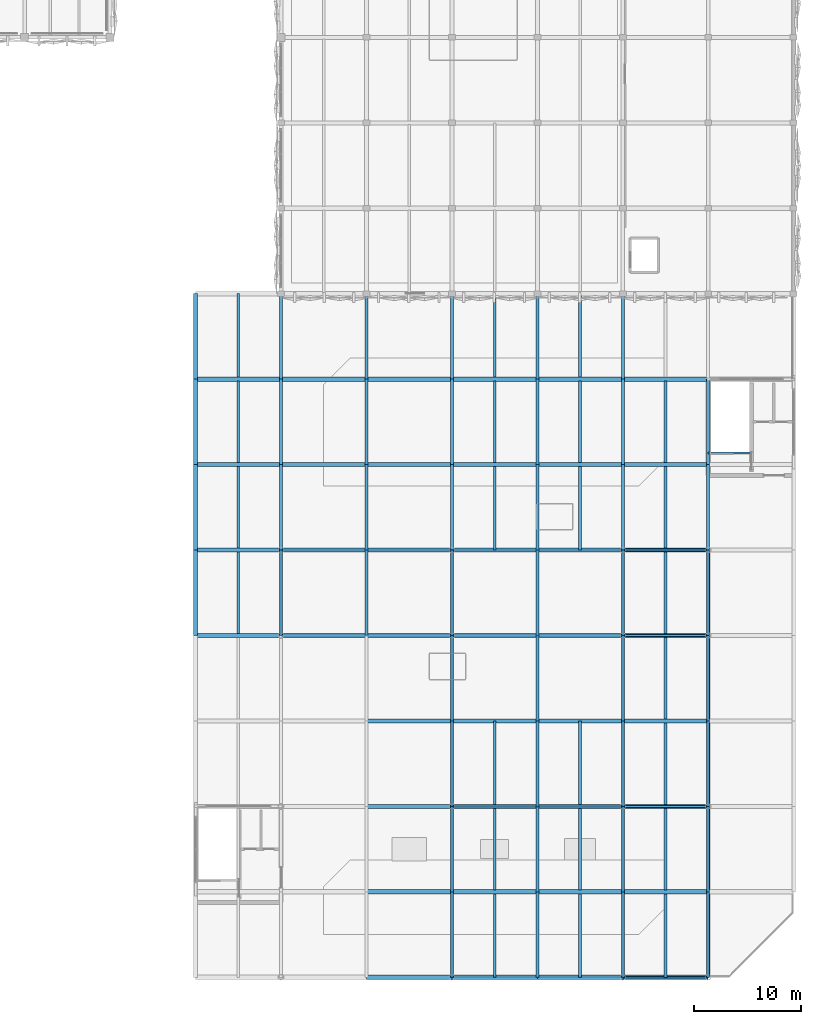
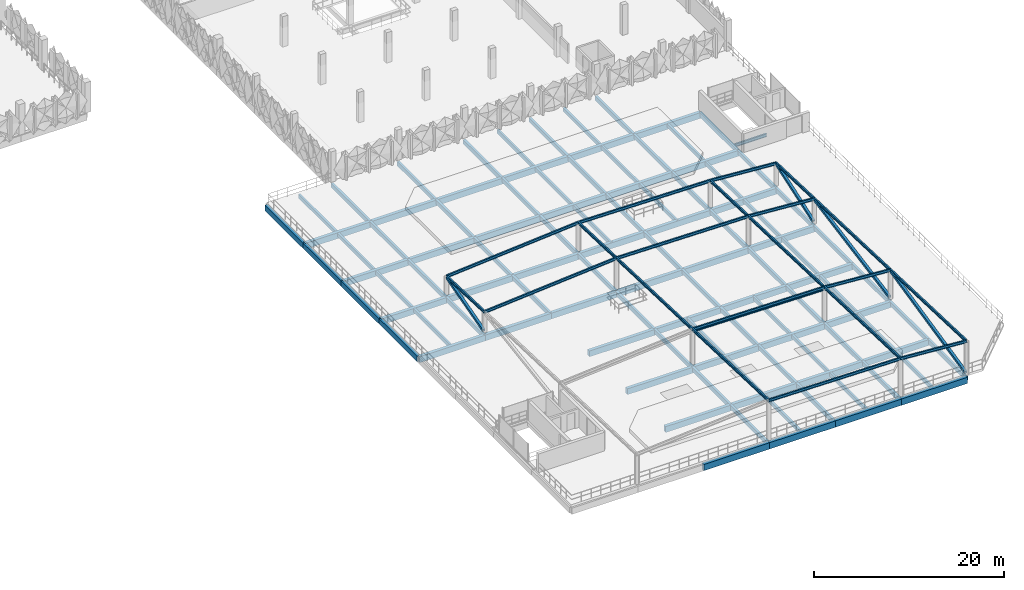
# One storey, part 18 of 76: 127 beams, 5 members.
"""IFC4 building model written with IfcOpenShell, lengths in metres."""

from ifc_helpers import new_model, si_unit, derived_unit, direction, frame, origin, origin_2d, place, context, subcontext, project, spatial, rectangle, hollow_rectangle, hollow_circle, i_section, extrude, material, material_profile, profile_set, type_object, element, save


model = new_model("IFC4")

# Units and contexts
model_context = context("Model", 3, precision=1e-05, world=origin(), true_north=direction((0.0, 1.0)))
body_context = subcontext(model_context, "Body", "Model", "MODEL_VIEW")
ifc_project = project(units=[si_unit("LENGTHUNIT", "METRE"), si_unit("AREAUNIT", "SQUARE_METRE"), si_unit("VOLUMEUNIT", "CUBIC_METRE"), si_unit("PLANEANGLEUNIT", "RADIAN"), si_unit("MASSUNIT", "GRAM", prefix="KILO"), si_unit("THERMODYNAMICTEMPERATUREUNIT", "KELVIN"), derived_unit("THERMALTRANSMITTANCEUNIT", [(si_unit("POWERUNIT", "WATT"), 1), (si_unit("AREAUNIT", "SQUARE_METRE"), -1), (si_unit("THERMODYNAMICTEMPERATUREUNIT", "KELVIN"), -1)])], contexts=[model_context])

# Site, building, storey
site_placement = place(None, origin())
site = spatial("IfcSite", under=ifc_project, at=site_placement, CompositionType="ELEMENT")
building_placement = place(site_placement, origin())
building = spatial("IfcBuilding", under=site, at=building_placement, Name="Haiyu Intermodal Mobility Hub", CompositionType="ELEMENT")
storey_placement = place(building_placement, frame((0.0, 0.0, 17.300048828125)))
storey = spatial("IfcBuildingStorey", under=building, at=storey_placement, Name="L04", CompositionType="ELEMENT", Elevation=17.300048828125)

# Beams
ifc_material_1 = material(Name="Concrete C40", Category="concrete")
ifc_material_profile_1 = material_profile(ifc_material_1, rectangle(XDim=0.39990234375, YDim=0.75, at=origin_2d()), Name="RCB400x750")
ifc_profile_set_1 = profile_set([ifc_material_profile_1], Name="Concrete C40")
beam_type_1 = type_object("IfcBeamType", Name="BM-CB03", PredefinedType="BEAM", material=ifc_profile_set_1)
for number, where, z_axis, x_axis, name in (
    (1, (170.0, 24.0, -0.675048828125), (1.0, 0.0, 0.0), (0.0, 1.0, 0.0), "BM-V5G-L04-009"),
    (2, (178.0, 24.0, -0.675048828125), (1.0, 0.0, 0.0), (0.0, 1.0, 0.0), "BM-V5G-L04-010"),
    (3, (186.0, 24.0, -0.675048828125), (1.0, 0.0, 0.0), (0.0, 1.0, 0.0), "BM-V5G-L04-011"),
    (4, (194.0, 24.0, -0.675048828125), (1.0, 0.0, 0.0), (0.0, 1.0, 0.0), "BM-V5G-L04-012"),
    (5, (170.0, 32.0, -0.675048828125), (1.0, 0.0, 0.0), (0.0, 1.0, 0.0), "BM-V5G-L04-016"),
    (6, (178.0, 32.0, -0.675048828125), (1.0, 0.0, 0.0), (0.0, 1.0, 0.0), "BM-V5G-L04-017"),
    (7, (186.0, 32.0, -0.675048828125), (1.0, 0.0, 0.0), (0.0, 1.0, 0.0), "BM-V5G-L04-018"),
    (8, (194.0, 32.0, -0.675048828125), (1.0, 0.0, 0.0), (0.0, 1.0, 0.0), "BM-V5G-L04-019"),
    (9, (170.0, 40.0, -0.675048828125), (1.0, 0.0, 0.0), (0.0, 1.0, 0.0), "BM-V5G-L04-023"),
    (10, (178.0, 40.0, -0.675048828125), (1.0, 0.0, 0.0), (0.0, 1.0, 0.0), "BM-V5G-L04-024"),
    (11, (186.0, 40.0, -0.675048828125), (1.0, 0.0, 0.0), (0.0, 1.0, 0.0), "BM-V5G-L04-025"),
    (12, (194.0, 40.0, -0.675048828125), (1.0, 0.0, 0.0), (0.0, 1.0, 0.0), "BM-V5G-L04-026"),
    (13, (154.0, 48.0, -0.675048828125), (1.0, 0.0, 0.0), (0.0, 1.0, 0.0), "BM-V5G-L04-028"),
    (14, (162.0, 48.0, -0.675048828125), (1.0, 0.0, 0.0), (0.0, 1.0, 0.0), "BM-V5G-L04-029"),
    (15, (170.0, 48.0, -0.675048828125), (1.0, 0.0, 0.0), (0.0, 1.0, 0.0), "BM-V5G-L04-030"),
    (16, (178.0, 48.0, -0.675048828125), (1.0, 0.0, 0.0), (0.0, 1.0, 0.0), "BM-V5G-L04-031"),
    (17, (186.0, 48.0, -0.675048828125), (1.0, 0.0, 0.0), (0.0, 1.0, 0.0), "BM-V5G-L04-032"),
    (18, (194.0, 48.0, -0.675048828125), (1.0, 0.0, 0.0), (0.0, 1.0, 0.0), "BM-V5G-L04-033"),
    (19, (154.0, 56.0, -0.675048828125), (1.0, 0.0, 0.0), (0.0, 1.0, 0.0), "BM-V5G-L04-035"),
    (20, (162.0, 56.0, -0.675048828125), (1.0, 0.0, 0.0), (0.0, 1.0, 0.0), "BM-V5G-L04-036"),
    (21, (170.0, 56.0, -0.675048828125), (1.0, 0.0, 0.0), (0.0, 1.0, 0.0), "BM-V5G-L04-037"),
    (22, (178.0, 56.0, -0.675048828125), (1.0, 0.0, 0.0), (0.0, 1.0, 0.0), "BM-V5G-L04-038"),
    (23, (186.0, 56.0, -0.675048828125), (1.0, 0.0, 0.0), (0.0, 1.0, 0.0), "BM-V5G-L04-039"),
    (24, (194.0, 56.0, -0.675048828125), (1.0, 0.0, 0.0), (0.0, 1.0, 0.0), "BM-V5G-L04-040"),
    (25, (154.0, 64.0, -0.675048828125), (1.0, 0.0, 0.0), (0.0, 1.0, 0.0), "BM-V5G-L04-042"),
    (26, (162.0, 64.0, -0.675048828125), (1.0, 0.0, 0.0), (0.0, 1.0, 0.0), "BM-V5G-L04-043"),
    (27, (170.0, 64.0, -0.675048828125), (1.0, 0.0, 0.0), (0.0, 1.0, 0.0), "BM-V5G-L04-044"),
    (28, (178.0, 64.0, -0.675048828125), (1.0, 0.0, 0.0), (0.0, 1.0, 0.0), "BM-V5G-L04-045"),
    (29, (186.0, 64.0, -0.675048828125), (1.0, 0.0, 0.0), (0.0, 1.0, 0.0), "BM-V5G-L04-046"),
    (30, (194.0, 64.0, -0.675048828125), (1.0, 0.0, 0.0), (0.0, 1.0, 0.0), "BM-V5G-L04-047"),
    (31, (154.0, 72.0, -0.675048828125), (1.0, 0.0, 0.0), (0.0, 1.0, 0.0), "BM-V5G-L04-049"),
    (32, (162.0, 72.0, -0.675048828125), (1.0, 0.0, 0.0), (0.0, 1.0, 0.0), "BM-V5G-L04-050"),
    (33, (170.0, 72.0, -0.675048828125), (1.0, 0.0, 0.0), (0.0, 1.0, 0.0), "BM-V5G-L04-051"),
    (34, (178.0, 72.0, -0.675048828125), (1.0, 0.0, 0.0), (0.0, 1.0, 0.0), "BM-V5G-L04-052"),
    (35, (186.0, 72.0, -0.675048828125), (1.0, 0.0, 0.0), (0.0, 1.0, 0.0), "BM-V5G-L04-053"),
    (36, (194.0, 72.0, -0.675048828125), (1.0, 0.0, 0.0), (0.0, 1.0, 0.0), "BM-V5G-L04-054"),
):
    element("IfcBeam", number, at=place(storey_placement, frame(where, z_axis=z_axis, x_axis=x_axis)), inside=storey, type_object=beam_type_1, Name=name, PredefinedType="BEAM", context=body_context, shape_type="SweptSolid", body=[
        extrude(rectangle(XDim=0.39990234375, YDim=0.75, at=origin_2d()), origin(), (0.0, 0.0, 1.0), 8.0),
    ])
ifc_material_profile_2 = material_profile(ifc_material_1, rectangle(XDim=0.39990234375, YDim=0.800048828125, at=origin_2d()), Name="RCB400x800")
ifc_profile_set_2 = profile_set([ifc_material_profile_2], Name="Concrete C40")
beam_type_2 = type_object("IfcBeamType", Name="BM-CB05", PredefinedType="BEAM", material=ifc_profile_set_2)
for number, where, z_axis, x_axis, name in (
    (37, (170.0, 16.0, -0.699951171875), (1.0, 0.0, 0.0), (0.0, 1.0, 0.0), "BM-V5G-L04-003"),
    (38, (178.0, 16.0, -0.699951171875), (1.0, 0.0, 0.0), (0.0, 1.0, 0.0), "BM-V5G-L04-004"),
    (39, (186.0, 16.0, -0.699951171875), (1.0, 0.0, 0.0), (0.0, 1.0, 0.0), "BM-V5G-L04-005"),
    (40, (194.0, 16.0, -0.699951171875), (1.0, 0.0, 0.0), (0.0, 1.0, 0.0), "BM-V5G-L04-006"),
):
    element("IfcBeam", number, at=place(storey_placement, frame(where, z_axis=z_axis, x_axis=x_axis)), inside=storey, type_object=beam_type_2, Name=name, PredefinedType="BEAM", context=body_context, shape_type="SweptSolid", body=[
        extrude(rectangle(XDim=0.39990234375, YDim=0.800048828125, at=origin_2d()), origin(), (0.0, 0.0, 1.0), 8.0),
    ])
ifc_material_profile_3 = material_profile(ifc_material_1, rectangle(XDim=0.35009765625, YDim=0.699951171875, at=origin_2d()), Name="RCB350x700")
ifc_profile_set_3 = profile_set([ifc_material_profile_3], Name="Concrete C40")
beam_type_3 = type_object("IfcBeamType", Name="BM-CB06", PredefinedType="BEAM", material=ifc_profile_set_3)
for number, where, z_axis, x_axis, name in (
    (41, (154.0, 48.0, -0.650146484375), (0.0, 1.0, 0.0), (-1.0, 0.0, 0.0), "BM-V5T-L04-005"),
    (42, (154.0, 56.0, -0.650146484375), (0.0, 1.0, 0.0), (-1.0, 0.0, 0.0), "BM-V5T-L04-006"),
    (43, (154.0, 64.0, -0.650146484375), (0.0, 1.0, 0.0), (-1.0, 0.0, 0.0), "BM-V5T-L04-007"),
    (44, (154.0, 72.0, -0.650146484375), (0.0, 1.0, 0.0), (-1.0, 0.0, 0.0), "BM-V5T-L04-008"),
):
    element("IfcBeam", number, at=place(storey_placement, frame(where, z_axis=z_axis, x_axis=x_axis)), inside=storey, type_object=beam_type_3, Name=name, PredefinedType="BEAM", context=body_context, shape_type="SweptSolid", body=[
        extrude(rectangle(XDim=0.35009765625, YDim=0.699951171875, at=origin_2d()), origin(), (0.0, 0.0, 1.0), 8.0),
    ])
ifc_material_profile_4 = material_profile(ifc_material_1, rectangle(XDim=0.280029296875, YDim=0.5400390625, at=origin_2d()), Name="RCB280x540")
ifc_profile_set_4 = profile_set([ifc_material_profile_4], Name="Concrete C40")
beam_type_4 = type_object("IfcBeamType", Name="BM-CB08", PredefinedType="JOIST", material=ifc_profile_set_4)
for number, where, z_axis, x_axis, name in (
    (45, (162.0, 48.0, -0.570068359375), (0.0, 1.0, 0.0), (-1.0, 0.0, 0.0), "BM-V5T-L04-013"),
    (46, (162.0, 56.0, -0.570068359375), (0.0, 1.0, 0.0), (-1.0, 0.0, 0.0), "BM-V5T-L04-014"),
    (47, (162.0, 64.0, -0.570068359375), (0.0, 1.0, 0.0), (-1.0, 0.0, 0.0), "BM-V5T-L04-015"),
    (48, (162.0, 72.0, -0.570068359375), (0.0, 1.0, 0.0), (-1.0, 0.0, 0.0), "BM-V5T-L04-016"),
    (49, (170.0, 48.0, -0.570068359375), (0.0, 1.0, 0.0), (-1.0, 0.0, 0.0), "BM-V5T-L04-021"),
    (50, (170.0, 56.0, -0.570068359375), (0.0, 1.0, 0.0), (-1.0, 0.0, 0.0), "BM-V5T-L04-022"),
    (51, (170.0, 64.0, -0.570068359375), (0.0, 1.0, 0.0), (-1.0, 0.0, 0.0), "BM-V5T-L04-023"),
    (52, (170.0, 72.0, -0.570068359375), (0.0, 1.0, 0.0), (-1.0, 0.0, 0.0), "BM-V5T-L04-024"),
    (53, (178.0, 16.0, -0.570068359375), (0.0, 1.0, 0.0), (-1.0, 0.0, 0.0), "BM-V5T-L04-025"),
    (54, (178.0, 24.0, -0.570068359375), (0.0, 1.0, 0.0), (-1.0, 0.0, 0.0), "BM-V5T-L04-026"),
    (55, (178.0, 32.0, -0.570068359375), (0.0, 1.0, 0.0), (-1.0, 0.0, 0.0), "BM-V5T-L04-027"),
    (56, (178.0, 40.0, -0.570068359375), (0.0, 1.0, 0.0), (-1.0, 0.0, 0.0), "BM-V5T-L04-028"),
    (57, (178.0, 48.0, -0.570068359375), (0.0, 1.0, 0.0), (-1.0, 0.0, 0.0), "BM-V5T-L04-029"),
    (58, (178.0, 56.0, -0.570068359375), (0.0, 1.0, 0.0), (-1.0, 0.0, 0.0), "BM-V5T-L04-030"),
    (59, (178.0, 64.0, -0.570068359375), (0.0, 1.0, 0.0), (-1.0, 0.0, 0.0), "BM-V5T-L04-031"),
    (60, (178.0, 72.0, -0.570068359375), (0.0, 1.0, 0.0), (-1.0, 0.0, 0.0), "BM-V5T-L04-032"),
    (61, (186.0, 16.0, -0.570068359375), (0.0, 1.0, 0.0), (-1.0, 0.0, 0.0), "BM-V5T-L04-033"),
    (62, (186.0, 24.0, -0.570068359375), (0.0, 1.0, 0.0), (-1.0, 0.0, 0.0), "BM-V5T-L04-034"),
    (63, (186.0, 32.0, -0.570068359375), (0.0, 1.0, 0.0), (-1.0, 0.0, 0.0), "BM-V5T-L04-035"),
    (64, (186.0, 40.0, -0.570068359375), (0.0, 1.0, 0.0), (-1.0, 0.0, 0.0), "BM-V5T-L04-036"),
    (65, (186.0, 48.0, -0.570068359375), (0.0, 1.0, 0.0), (-1.0, 0.0, 0.0), "BM-V5T-L04-037"),
    (66, (186.0, 56.0, -0.570068359375), (0.0, 1.0, 0.0), (-1.0, 0.0, 0.0), "BM-V5T-L04-038"),
    (67, (186.0, 64.0, -0.570068359375), (0.0, 1.0, 0.0), (-1.0, 0.0, 0.0), "BM-V5T-L04-039"),
    (68, (186.0, 72.0, -0.570068359375), (0.0, 1.0, 0.0), (-1.0, 0.0, 0.0), "BM-V5T-L04-040"),
    (69, (194.0, 16.0, -0.570068359375), (0.0, 1.0, 0.0), (-1.0, 0.0, 0.0), "BM-V5T-L04-041"),
    (70, (194.0, 24.0, -0.570068359375), (0.0, 1.0, 0.0), (-1.0, 0.0, 0.0), "BM-V5T-L04-042"),
    (71, (194.0, 32.0, -0.570068359375), (0.0, 1.0, 0.0), (-1.0, 0.0, 0.0), "BM-V5T-L04-043"),
    (72, (194.0, 40.0, -0.570068359375), (0.0, 1.0, 0.0), (-1.0, 0.0, 0.0), "BM-V5T-L04-044"),
    (73, (194.0, 48.0, -0.570068359375), (0.0, 1.0, 0.0), (-1.0, 0.0, 0.0), "BM-V5T-L04-045"),
    (74, (194.0, 56.0, -0.570068359375), (0.0, 1.0, 0.0), (-1.0, 0.0, 0.0), "BM-V5T-L04-046"),
    (75, (194.0, 64.0, -0.570068359375), (0.0, 1.0, 0.0), (-1.0, 0.0, 0.0), "BM-V5T-L04-047"),
    (76, (194.0, 72.0, -0.570068359375), (0.0, 1.0, 0.0), (-1.0, 0.0, 0.0), "BM-V5T-L04-048"),
    (77, (202.0, 16.0, -0.570068359375), (0.0, 1.0, 0.0), (-1.0, 0.0, 0.0), "BM-V5T-L04-049"),
    (78, (202.0, 24.0, -0.570068359375), (0.0, 1.0, 0.0), (-1.0, 0.0, 0.0), "BM-V5T-L04-050"),
    (79, (202.0, 32.0, -0.570068359375), (0.0, 1.0, 0.0), (-1.0, 0.0, 0.0), "BM-V5T-L04-051"),
    (80, (202.0, 40.0, -0.570068359375), (0.0, 1.0, 0.0), (-1.0, 0.0, 0.0), "BM-V5T-L04-052"),
    (81, (202.0, 48.0, -0.570068359375), (0.0, 1.0, 0.0), (-1.0, 0.0, 0.0), "BM-V5T-L04-053"),
    (82, (202.0, 56.0, -0.570068359375), (0.0, 1.0, 0.0), (-1.0, 0.0, 0.0), "BM-V5T-L04-054"),
    (83, (202.0, 64.0, -0.570068359375), (0.0, 1.0, 0.0), (-1.0, 0.0, 0.0), "BM-V5T-L04-055"),
):
    element("IfcBeam", number, at=place(storey_placement, frame(where, z_axis=z_axis, x_axis=x_axis)), inside=storey, type_object=beam_type_4, Name=name, PredefinedType="JOIST", context=body_context, shape_type="SweptSolid", body=[
        extrude(rectangle(XDim=0.280029296875, YDim=0.5400390625, at=origin_2d()), origin(), (0.0, 0.0, 1.0), 8.0),
    ])
ifc_material_profile_5 = material_profile(ifc_material_1, rectangle(XDim=0.25, YDim=0.47998046875, at=origin_2d()), Name="RCB250x480")
ifc_profile_set_5 = profile_set([ifc_material_profile_5], Name="Concrete C40")
beam_type_5 = type_object("IfcBeamType", Name="BM-CB09", PredefinedType="JOIST", material=ifc_profile_set_5)
for number, where, z_axis, x_axis, name in (
    (84, (158.0, 48.18505859375, -0.5400390625), (0.0, 1.0, 0.0), (-1.0, 0.0, 0.0), "BM-V5J-L04-005"),
    (85, (158.0, 56.18505859375, -0.5400390625), (0.0, 1.0, 0.0), (-1.0, 0.0, 0.0), "BM-V5J-L04-006"),
    (86, (158.0, 64.18505859375, -0.5400390625), (0.0, 1.0, 0.0), (-1.0, 0.0, 0.0), "BM-V5J-L04-007"),
):
    element("IfcBeam", number, at=place(storey_placement, frame(where, z_axis=z_axis, x_axis=x_axis)), inside=storey, type_object=beam_type_5, Name=name, PredefinedType="JOIST", context=body_context, shape_type="SweptSolid", body=[
        extrude(rectangle(XDim=0.25, YDim=0.47998046875, at=origin_2d()), origin(), (0.0, 0.0, 1.0), 7.6298828125),
    ])
for number, where, z_axis, x_axis, name in (
    (87, (158.0, 72.18505859375, -0.5400390625), (0.0, 1.0, 0.0), (-1.0, 0.0, 0.0), "BM-V5J-L04-008"),
    (88, (182.0, 16.0, -0.5400390625), (0.0, 1.0, 0.0), (-1.0, 0.0, 0.0), "BM-V5J-L04-009"),
):
    element("IfcBeam", number, at=place(storey_placement, frame(where, z_axis=z_axis, x_axis=x_axis)), inside=storey, type_object=beam_type_5, Name=name, PredefinedType="JOIST", context=body_context, shape_type="SweptSolid", body=[
        extrude(rectangle(XDim=0.25, YDim=0.47998046875, at=origin_2d()), origin(), (0.0, 0.0, 1.0), 7.81494140625),
    ])
beam_1_placement = place(storey_placement, frame((182.0, 24.18505859375, -0.5400390625), z_axis=(0.0, 1.0, 0.0), x_axis=(-1.0, 0.0, 0.0)))
element("IfcBeam", 89, at=beam_1_placement, inside=storey, type_object=beam_type_5, Name="BM-V5J-L04-010", PredefinedType="JOIST", context=body_context, shape_type="SweptSolid", body=[
    extrude(rectangle(XDim=0.25, YDim=0.47998046875, at=origin_2d()), origin(), (0.0, 0.0, 1.0), 7.6298828125),
])
for number, where, z_axis, x_axis, name in (
    (90, (182.0, 32.18505859375, -0.5400390625), (0.0, 1.0, 0.0), (-1.0, 0.0, 0.0), "BM-V5J-L04-011"),
    (91, (182.0, 56.0, -0.5400390625), (0.0, 1.0, 0.0), (-1.0, 0.0, 0.0), "BM-V5J-L04-012"),
):
    element("IfcBeam", number, at=place(storey_placement, frame(where, z_axis=z_axis, x_axis=x_axis)), inside=storey, type_object=beam_type_5, Name=name, PredefinedType="JOIST", context=body_context, shape_type="SweptSolid", body=[
        extrude(rectangle(XDim=0.25, YDim=0.47998046875, at=origin_2d()), origin(), (0.0, 0.0, 1.0), 7.81494140625),
    ])
for number, where, z_axis, x_axis, name in (
    (92, (182.0, 64.18505859375, -0.5400390625), (0.0, 1.0, 0.0), (-1.0, 0.0, 0.0), "BM-V5J-L04-013"),
    (93, (182.0, 72.18505859375, -0.5400390625), (0.0, 1.0, 0.0), (-1.0, 0.0, 0.0), "BM-V5J-L04-014"),
):
    element("IfcBeam", number, at=place(storey_placement, frame(where, z_axis=z_axis, x_axis=x_axis)), inside=storey, type_object=beam_type_5, Name=name, PredefinedType="JOIST", context=body_context, shape_type="SweptSolid", body=[
        extrude(rectangle(XDim=0.25, YDim=0.47998046875, at=origin_2d()), origin(), (0.0, 0.0, 1.0), 7.6298828125),
    ])
beam_2_placement = place(storey_placement, frame((190.0, 16.0, -0.5400390625), z_axis=(0.0, 1.0, 0.0), x_axis=(-1.0, 0.0, 0.0)))
element("IfcBeam", 94, at=beam_2_placement, inside=storey, type_object=beam_type_5, Name="BM-V5J-L04-015", PredefinedType="JOIST", context=body_context, shape_type="SweptSolid", body=[
    extrude(rectangle(XDim=0.25, YDim=0.47998046875, at=origin_2d()), origin(), (0.0, 0.0, 1.0), 7.81494140625),
])
beam_3_placement = place(storey_placement, frame((190.0, 24.18505859375, -0.5400390625), z_axis=(0.0, 1.0, 0.0), x_axis=(-1.0, 0.0, 0.0)))
element("IfcBeam", 95, at=beam_3_placement, inside=storey, type_object=beam_type_5, Name="BM-V5J-L04-016", PredefinedType="JOIST", context=body_context, shape_type="SweptSolid", body=[
    extrude(rectangle(XDim=0.25, YDim=0.47998046875, at=origin_2d()), origin(), (0.0, 0.0, 1.0), 7.6298828125),
])
for number, where, z_axis, x_axis, name in (
    (96, (190.0, 32.18505859375, -0.5400390625), (0.0, 1.0, 0.0), (-1.0, 0.0, 0.0), "BM-V5J-L04-017"),
    (97, (190.0, 56.0, -0.5400390625), (0.0, 1.0, 0.0), (-1.0, 0.0, 0.0), "BM-V5J-L04-018"),
):
    element("IfcBeam", number, at=place(storey_placement, frame(where, z_axis=z_axis, x_axis=x_axis)), inside=storey, type_object=beam_type_5, Name=name, PredefinedType="JOIST", context=body_context, shape_type="SweptSolid", body=[
        extrude(rectangle(XDim=0.25, YDim=0.47998046875, at=origin_2d()), origin(), (0.0, 0.0, 1.0), 7.81494140625),
    ])
for number, where, z_axis, x_axis, name in (
    (98, (190.0, 64.18505859375, -0.5400390625), (0.0, 1.0, 0.0), (-1.0, 0.0, 0.0), "BM-V5J-L04-019"),
    (99, (190.0, 72.18505859375, -0.5400390625), (0.0, 1.0, 0.0), (-1.0, 0.0, 0.0), "BM-V5J-L04-020"),
):
    element("IfcBeam", number, at=place(storey_placement, frame(where, z_axis=z_axis, x_axis=x_axis)), inside=storey, type_object=beam_type_5, Name=name, PredefinedType="JOIST", context=body_context, shape_type="SweptSolid", body=[
        extrude(rectangle(XDim=0.25, YDim=0.47998046875, at=origin_2d()), origin(), (0.0, 0.0, 1.0), 7.6298828125),
    ])
beam_4_placement = place(storey_placement, frame((198.0, 16.0, -0.5400390625), z_axis=(0.0, 1.0, 0.0), x_axis=(-1.0, 0.0, 0.0)))
element("IfcBeam", 100, at=beam_4_placement, inside=storey, type_object=beam_type_5, Name="BM-V5J-L04-021", PredefinedType="JOIST", context=body_context, shape_type="SweptSolid", body=[
    extrude(rectangle(XDim=0.25, YDim=0.47998046875, at=origin_2d()), origin(), (0.0, 0.0, 1.0), 7.81494140625),
])
for number, where, z_axis, x_axis, name in (
    (101, (198.0, 24.18505859375, -0.5400390625), (0.0, 1.0, 0.0), (-1.0, 0.0, 0.0), "BM-V5J-L04-022"),
    (102, (198.0, 32.18505859375, -0.5400390625), (0.0, 1.0, 0.0), (-1.0, 0.0, 0.0), "BM-V5J-L04-023"),
    (103, (198.0, 40.18505859375, -0.5400390625), (0.0, 1.0, 0.0), (-1.0, 0.0, 0.0), "BM-V5J-L04-024"),
    (104, (198.0, 48.18505859375, -0.5400390625), (0.0, 1.0, 0.0), (-1.0, 0.0, 0.0), "BM-V5J-L04-025"),
    (105, (198.0, 56.18505859375, -0.5400390625), (0.0, 1.0, 0.0), (-1.0, 0.0, 0.0), "BM-V5J-L04-026"),
    (106, (198.0, 64.18505859375, -0.5400390625), (0.0, 1.0, 0.0), (-1.0, 0.0, 0.0), "BM-V5J-L04-027"),
):
    element("IfcBeam", number, at=place(storey_placement, frame(where, z_axis=z_axis, x_axis=x_axis)), inside=storey, type_object=beam_type_5, Name=name, PredefinedType="JOIST", context=body_context, shape_type="SweptSolid", body=[
        extrude(rectangle(XDim=0.25, YDim=0.47998046875, at=origin_2d()), origin(), (0.0, 0.0, 1.0), 7.6298828125),
    ])
ifc_material_2 = material(Name="Steel Q355C", Category="steel")
ifc_material_profile_6 = material_profile(ifc_material_2, i_section(OverallWidth=0.199951171875, OverallDepth=0.39990234375, WebThickness=0.008056640625, FlangeThickness=0.012939453125, FilletRadius=0.01611328125, at=origin_2d()), Name="HN400x200x8x13")
ifc_profile_set_6 = profile_set([ifc_material_profile_6], Name="Steel Q355C")
beam_type_6 = type_object("IfcBeamType", Name="BM-SB08", PredefinedType="JOIST", material=ifc_profile_set_6)
beam_5_placement = place(storey_placement, frame((202.0, 65.10009765625, -0.525146484375), z_axis=(1.0, 0.0, 0.0), x_axis=(0.0, 1.0, 0.0)))
element("IfcBeam", 107, at=beam_5_placement, inside=storey, type_object=beam_type_6, Name="Stair Arrival Trimmer Beam C9-L03", PredefinedType="JOIST", context=body_context, shape_type="SweptSolid", body=[
    extrude(i_section(OverallWidth=0.199951171875, OverallDepth=0.39990234375, WebThickness=0.008056640625, FlangeThickness=0.012939453125, FilletRadius=0.01611328125, at=origin_2d()), origin(), (0.0, 0.0, 1.0), 4.050048828125),
])
ifc_material_profile_7 = material_profile(ifc_material_2, i_section(OverallWidth=0.175048828125, OverallDepth=0.35009765625, WebThickness=0.007080078125, FlangeThickness=0.010986328125, FilletRadius=0.013916015625, at=origin_2d()), Name="HN350x175x7x11")
ifc_profile_set_7 = profile_set([ifc_material_profile_7], Name="Steel Q355C")
beam_type_7 = type_object("IfcBeamType", Name="BM-SB09", PredefinedType="JOIST", material=ifc_profile_set_7)
beam_6_placement = place(storey_placement, frame((162.0, 48.0, 2.550048828125), z_axis=(0.0, 0.999343438911, -0.036231079267), x_axis=(-1.0, 0.0, 0.0)))
element("IfcBeam", 108, at=beam_6_placement, inside=storey, type_object=beam_type_7, Name="BM-V5WR-L04-003", PredefinedType="JOIST", context=body_context, shape_type="SweptSolid", body=[
    extrude(i_section(OverallWidth=0.175048828125, OverallDepth=0.35009765625, WebThickness=0.007080078125, FlangeThickness=0.010986328125, FilletRadius=0.013916015625, at=origin_2d()), origin(), (0.0, 0.0, 1.0), 8.00537109375),
])
for number, where, z_axis, x_axis, name in (
    (109, (178.0, 16.0, 5.00390625), (0.0, 0.999343990912, -0.036215850501), (-1.0, 0.0, 0.0), "BM-V5WR-L04-004"),
    (110, (178.0, 32.0, 4.424072265625), (0.0, 0.999343438911, -0.036231079267), (-1.0, 0.0, 0.0), "BM-V5WR-L04-005"),
):
    element("IfcBeam", number, at=place(storey_placement, frame(where, z_axis=z_axis, x_axis=x_axis)), inside=storey, type_object=beam_type_7, Name=name, PredefinedType="JOIST", context=body_context, shape_type="SweptSolid", body=[
        extrude(i_section(OverallWidth=0.175048828125, OverallDepth=0.35009765625, WebThickness=0.007080078125, FlangeThickness=0.010986328125, FilletRadius=0.013916015625, at=origin_2d()), origin(), (0.0, 0.0, 1.0), 16.010498046875),
    ])
beam_7_placement = place(storey_placement, frame((178.0, 48.0, 3.843994140625), z_axis=(0.0, 0.999343438911, -0.036231079267), x_axis=(-1.0, 0.0, 0.0)))
element("IfcBeam", 111, at=beam_7_placement, inside=storey, type_object=beam_type_7, Name="BM-V5WR-L04-006", PredefinedType="JOIST", context=body_context, shape_type="SweptSolid", body=[
    extrude(i_section(OverallWidth=0.175048828125, OverallDepth=0.35009765625, WebThickness=0.007080078125, FlangeThickness=0.010986328125, FilletRadius=0.013916015625, at=origin_2d()), origin(), (0.0, 0.0, 1.0), 8.00537109375),
])
for number, where, z_axis, x_axis, name in (
    (112, (194.0, 16.0, 4.785888671875), (0.0, 0.999343990912, -0.036215850501), (-1.0, 0.0, 0.0), "BM-V5WR-L04-007"),
    (113, (194.0, 32.0, 4.2060546875), (0.0, 0.999343438911, -0.036231079267), (-1.0, 0.0, 0.0), "BM-V5WR-L04-008"),
):
    element("IfcBeam", number, at=place(storey_placement, frame(where, z_axis=z_axis, x_axis=x_axis)), inside=storey, type_object=beam_type_7, Name=name, PredefinedType="JOIST", context=body_context, shape_type="SweptSolid", body=[
        extrude(i_section(OverallWidth=0.175048828125, OverallDepth=0.35009765625, WebThickness=0.007080078125, FlangeThickness=0.010986328125, FilletRadius=0.013916015625, at=origin_2d()), origin(), (0.0, 0.0, 1.0), 16.010498046875),
    ])
beam_8_placement = place(storey_placement, frame((194.0, 48.0, 3.6259765625), z_axis=(0.0, 0.999343438911, -0.036231079267), x_axis=(-1.0, 0.0, 0.0)))
element("IfcBeam", 114, at=beam_8_placement, inside=storey, type_object=beam_type_7, Name="BM-V5WR-L04-009", PredefinedType="JOIST", context=body_context, shape_type="SweptSolid", body=[
    extrude(i_section(OverallWidth=0.175048828125, OverallDepth=0.35009765625, WebThickness=0.007080078125, FlangeThickness=0.010986328125, FilletRadius=0.013916015625, at=origin_2d()), origin(), (0.0, 0.0, 1.0), 8.00537109375),
])
for number, where, z_axis, x_axis, name in (
    (115, (202.0, 16.0, 4.2099609375), (0.0, 0.999343438911, -0.036231079267), (-1.0, 0.0, 0.0), "BM-V5WR-L04-010"),
    (116, (202.0, 32.0, 3.6298828125), (0.0, 0.999343990912, -0.036215850501), (-1.0, 0.0, 0.0), "BM-V5WR-L04-011"),
):
    element("IfcBeam", number, at=place(storey_placement, frame(where, z_axis=z_axis, x_axis=x_axis)), inside=storey, type_object=beam_type_7, Name=name, PredefinedType="JOIST", context=body_context, shape_type="SweptSolid", body=[
        extrude(i_section(OverallWidth=0.175048828125, OverallDepth=0.35009765625, WebThickness=0.007080078125, FlangeThickness=0.010986328125, FilletRadius=0.013916015625, at=origin_2d()), origin(), (0.0, 0.0, 1.0), 16.010498046875),
    ])
beam_9_placement = place(storey_placement, frame((202.0, 48.0, 3.050048828125), z_axis=(0.0, 0.999343438911, -0.036231079267), x_axis=(-1.0, 0.0, 0.0)))
element("IfcBeam", 117, at=beam_9_placement, inside=storey, type_object=beam_type_7, Name="BM-V5WR-L04-012", PredefinedType="JOIST", context=body_context, shape_type="SweptSolid", body=[
    extrude(i_section(OverallWidth=0.175048828125, OverallDepth=0.35009765625, WebThickness=0.007080078125, FlangeThickness=0.010986328125, FilletRadius=0.013916015625, at=origin_2d()), origin(), (0.0, 0.0, 1.0), 8.00537109375),
])
beam_10_placement = place(storey_placement, frame((178.0, 16.0, 5.00390625), z_axis=(0.999907177644, 0.0, -0.013624833826), x_axis=(0.0, 1.0, 0.0)))
element("IfcBeam", 118, at=beam_10_placement, inside=storey, type_object=beam_type_7, Name="BM-V5WP-L04-014", PredefinedType="JOIST", context=body_context, shape_type="SweptSolid", body=[
    extrude(i_section(OverallWidth=0.175048828125, OverallDepth=0.35009765625, WebThickness=0.007080078125, FlangeThickness=0.010986328125, FilletRadius=0.013916015625, at=origin_2d()), origin(), (0.0, 0.0, 1.0), 16.00146484375),
])
beam_11_placement = place(storey_placement, frame((194.0, 16.0, 4.785888671875), z_axis=(0.997418679683, 0.0, -0.071805135052), x_axis=(0.0, 1.0, 0.0)))
element("IfcBeam", 119, at=beam_11_placement, inside=storey, type_object=beam_type_7, Name="BM-V5WP-L04-015", PredefinedType="JOIST", context=body_context, shape_type="SweptSolid", body=[
    extrude(i_section(OverallWidth=0.175048828125, OverallDepth=0.35009765625, WebThickness=0.007080078125, FlangeThickness=0.010986328125, FilletRadius=0.013916015625, at=origin_2d()), origin(), (0.0, 0.0, 1.0), 8.020751953125),
])
beam_12_placement = place(storey_placement, frame((178.0, 32.0, 4.424072265625), z_axis=(0.999907177644, 0.0, -0.013624833826), x_axis=(0.0, 1.0, 0.0)))
element("IfcBeam", 120, at=beam_12_placement, inside=storey, type_object=beam_type_7, Name="BM-V5WP-L04-017", PredefinedType="JOIST", context=body_context, shape_type="SweptSolid", body=[
    extrude(i_section(OverallWidth=0.175048828125, OverallDepth=0.35009765625, WebThickness=0.007080078125, FlangeThickness=0.010986328125, FilletRadius=0.013916015625, at=origin_2d()), origin(), (0.0, 0.0, 1.0), 16.00146484375),
])
beam_13_placement = place(storey_placement, frame((194.0, 32.0, 4.2060546875), z_axis=(0.997416499207, 0.0, -0.071835416813), x_axis=(0.0, 1.0, 0.0)))
element("IfcBeam", 121, at=beam_13_placement, inside=storey, type_object=beam_type_7, Name="BM-V5WP-L04-018", PredefinedType="JOIST", context=body_context, shape_type="SweptSolid", body=[
    extrude(i_section(OverallWidth=0.175048828125, OverallDepth=0.35009765625, WebThickness=0.007080078125, FlangeThickness=0.010986328125, FilletRadius=0.013916015625, at=origin_2d()), origin(), (0.0, 0.0, 1.0), 8.020751953125),
])
beam_14_placement = place(storey_placement, frame((162.0, 48.0, 2.550048828125), z_axis=(0.996745847078, 0.0, 0.080608413536), x_axis=(0.0, 1.0, 0.0)))
element("IfcBeam", 122, at=beam_14_placement, inside=storey, type_object=beam_type_7, Name="BM-V5WP-L04-019", PredefinedType="JOIST", context=body_context, shape_type="SweptSolid", body=[
    extrude(i_section(OverallWidth=0.175048828125, OverallDepth=0.35009765625, WebThickness=0.007080078125, FlangeThickness=0.010986328125, FilletRadius=0.013916015625, at=origin_2d()), origin(), (0.0, 0.0, 1.0), 16.05224609375),
])
beam_15_placement = place(storey_placement, frame((178.0, 48.0, 3.843994140625), z_axis=(0.999907177644, 0.0, -0.013624833826), x_axis=(0.0, 1.0, 0.0)))
element("IfcBeam", 123, at=beam_15_placement, inside=storey, type_object=beam_type_7, Name="BM-V5WP-L04-020", PredefinedType="JOIST", context=body_context, shape_type="SweptSolid", body=[
    extrude(i_section(OverallWidth=0.175048828125, OverallDepth=0.35009765625, WebThickness=0.007080078125, FlangeThickness=0.010986328125, FilletRadius=0.013916015625, at=origin_2d()), origin(), (0.0, 0.0, 1.0), 16.00146484375),
])
beam_16_placement = place(storey_placement, frame((194.0, 48.0, 3.6259765625), z_axis=(0.997418679683, 0.0, -0.071805135052), x_axis=(0.0, 1.0, 0.0)))
element("IfcBeam", 124, at=beam_16_placement, inside=storey, type_object=beam_type_7, Name="BM-V5WP-L04-021", PredefinedType="JOIST", context=body_context, shape_type="SweptSolid", body=[
    extrude(i_section(OverallWidth=0.175048828125, OverallDepth=0.35009765625, WebThickness=0.007080078125, FlangeThickness=0.010986328125, FilletRadius=0.013916015625, at=origin_2d()), origin(), (0.0, 0.0, 1.0), 8.020751953125),
])
beam_17_placement = place(storey_placement, frame((162.0, 56.0, 2.260009765625), z_axis=(0.996745847078, 0.0, 0.080608413536), x_axis=(0.0, 1.0, 0.0)))
element("IfcBeam", 125, at=beam_17_placement, inside=storey, type_object=beam_type_7, Name="BM-V5WP-L04-022", PredefinedType="JOIST", context=body_context, shape_type="SweptSolid", body=[
    extrude(i_section(OverallWidth=0.175048828125, OverallDepth=0.35009765625, WebThickness=0.007080078125, FlangeThickness=0.010986328125, FilletRadius=0.013916015625, at=origin_2d()), origin(), (0.0, 0.0, 1.0), 16.05224609375),
])
beam_18_placement = place(storey_placement, frame((178.0, 56.0, 3.553955078125), z_axis=(0.999907177644, 0.0, -0.013624833826), x_axis=(0.0, 1.0, 0.0)))
element("IfcBeam", 126, at=beam_18_placement, inside=storey, type_object=beam_type_7, Name="BM-V5WP-L04-023", PredefinedType="JOIST", context=body_context, shape_type="SweptSolid", body=[
    extrude(i_section(OverallWidth=0.175048828125, OverallDepth=0.35009765625, WebThickness=0.007080078125, FlangeThickness=0.010986328125, FilletRadius=0.013916015625, at=origin_2d()), origin(), (0.0, 0.0, 1.0), 16.00146484375),
])
beam_19_placement = place(storey_placement, frame((194.0, 56.0, 3.3359375), z_axis=(0.997418679683, 0.0, -0.071805135052), x_axis=(0.0, 1.0, 0.0)))
element("IfcBeam", 127, at=beam_19_placement, inside=storey, type_object=beam_type_7, Name="BM-V5WP-L04-024", PredefinedType="JOIST", context=body_context, shape_type="SweptSolid", body=[
    extrude(i_section(OverallWidth=0.175048828125, OverallDepth=0.35009765625, WebThickness=0.007080078125, FlangeThickness=0.010986328125, FilletRadius=0.013916015625, at=origin_2d()), origin(), (0.0, 0.0, 1.0), 8.020751953125),
])

# Members
ifc_material_profile_8 = material_profile(ifc_material_2, hollow_rectangle(XDim=0.300048828125, YDim=0.300048828125, WallThickness=0.011962890625, at=origin_2d()), Name="SHS300x300x12")
ifc_profile_set_8 = profile_set([ifc_material_profile_8], Name="Steel Q355C")
member_type_1 = type_object("IfcMemberType", Name="MEM-BR04", PredefinedType="BRACE", material=ifc_profile_set_8)
member_1_placement = place(storey_placement, frame((162.0, 48.159912109375, 0.099853515625), z_axis=(0.0, 0.964267668682, 0.264929921178), x_axis=(-1.0, 0.0, 0.0)))
element("IfcMember", 128, at=member_1_placement, inside=storey, type_object=member_type_1, Name="Canopy Wave V-Strut L04-003", PredefinedType="BRACE", context=body_context, shape_type="SweptSolid", body=[
    extrude(hollow_rectangle(XDim=0.300048828125, YDim=0.300048828125, WallThickness=0.011962890625, at=origin_2d()), origin(), (0.0, 0.0, 1.0), 7.96484375),
])
member_2_placement = place(storey_placement, frame((202.0, 16.159912109375, 0.099853515625), z_axis=(0.0, 0.976246393717, 0.216663284278), x_axis=(-1.0, 0.0, 0.0)))
element("IfcMember", 129, at=member_2_placement, inside=storey, type_object=member_type_1, Name="Canopy Wave V-Strut L04-010", PredefinedType="BRACE", context=body_context, shape_type="SweptSolid", body=[
    extrude(hollow_rectangle(XDim=0.300048828125, YDim=0.300048828125, WallThickness=0.011962890625, at=origin_2d()), origin(), (0.0, 0.0, 1.0), 16.061767578125),
])
member_3_placement = place(storey_placement, frame((202.0, 32.159912109375, 0.099853515625), z_axis=(0.0, 0.98332228731, 0.18187160108), x_axis=(-1.0, 0.0, 0.0)))
element("IfcMember", 130, at=member_3_placement, inside=storey, type_object=member_type_1, Name="Canopy Wave V-Strut L04-011", PredefinedType="BRACE", context=body_context, shape_type="SweptSolid", body=[
    extrude(hollow_rectangle(XDim=0.300048828125, YDim=0.300048828125, WallThickness=0.011962890625, at=origin_2d()), origin(), (0.0, 0.0, 1.0), 15.946044921875),
])
member_4_placement = place(storey_placement, frame((202.0, 48.159912109375, 0.099853515625), z_axis=(0.0, 0.946816032169, 0.321775389406), x_axis=(-1.0, 0.0, 0.0)))
element("IfcMember", 131, at=member_4_placement, inside=storey, type_object=member_type_1, Name="Canopy Wave V-Strut L04-012", PredefinedType="BRACE", context=body_context, shape_type="SweptSolid", body=[
    extrude(hollow_rectangle(XDim=0.300048828125, YDim=0.300048828125, WallThickness=0.011962890625, at=origin_2d()), origin(), (0.0, 0.0, 1.0), 8.111572265625),
])
ifc_material_profile_9 = material_profile(ifc_material_2, hollow_circle(Radius=0.096923828125, WallThickness=0.006103515625, at=origin_2d()), Name="CHS194x6")
ifc_profile_set_9 = profile_set([ifc_material_profile_9], Name="Steel Q355C")
member_type_2 = type_object("IfcMemberType", Name="MEM-PR04", PredefinedType="PURLIN", material=ifc_profile_set_9)
member_5_placement = place(storey_placement, frame((178.0, 32.0, 4.134033203125), z_axis=(0.999907177644, 0.0, -0.013624833826), x_axis=(0.0, 1.0, 0.0)))
element("IfcMember", 132, at=member_5_placement, inside=storey, type_object=member_type_2, Name="Solar Pergola Tie 02", PredefinedType="PURLIN", context=body_context, shape_type="SweptSolid", body=[
    extrude(hollow_circle(Radius=0.096923828125, WallThickness=0.006103515625, at=origin_2d()), origin(), (0.0, 0.0, 1.0), 16.00146484375),
])

save(model, "model.ifc")
